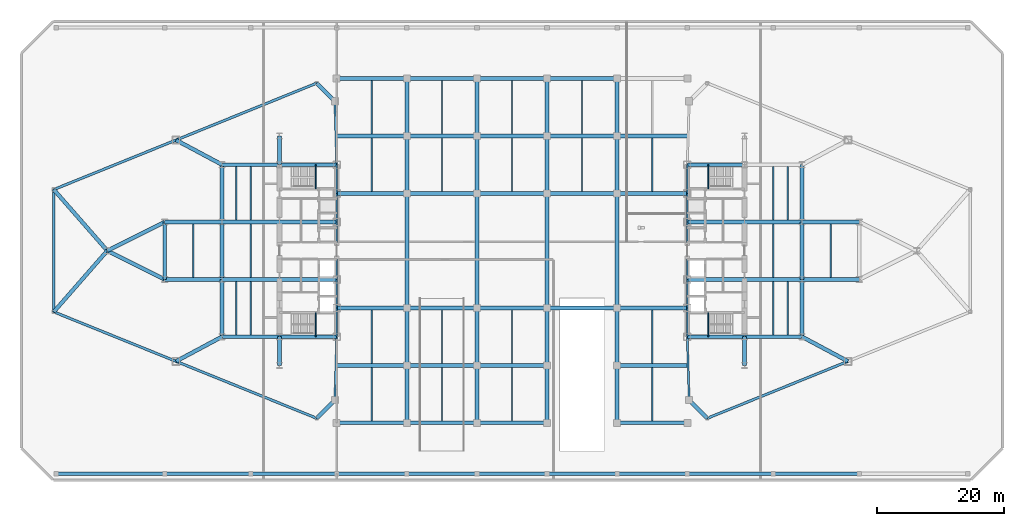
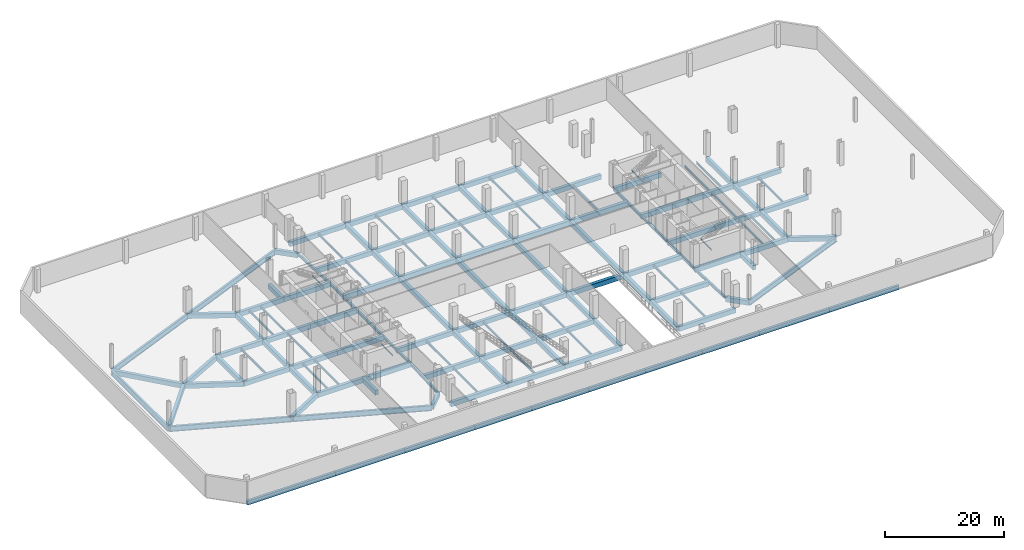
# One storey, part 7 of 18: 148 beams.
"""IFC4 building model written with IfcOpenShell, lengths in metres."""

from ifc_helpers import new_model, si_unit, direction, frame, origin, origin_2d, place, context, subcontext, project, spatial, rectangle, i_section, extrude, source, transform, mapped, material, material_profile, profile_set, type_object, type_shapes, element, save


model = new_model("IFC4")

# Units and contexts
model_context = context("Model", 3, precision=1e-05, world=origin(), true_north=direction((0.0, 1.0)))
body_context = subcontext(model_context, "Body", "Model", "MODEL_VIEW")
ifc_project = project(units=[si_unit("LENGTHUNIT", "METRE"), si_unit("AREAUNIT", "SQUARE_METRE"), si_unit("VOLUMEUNIT", "CUBIC_METRE"), si_unit("PLANEANGLEUNIT", "RADIAN"), si_unit("MASSUNIT", "GRAM", prefix="KILO")], contexts=[model_context])

# Site, building, storey
site_placement = place(None, origin())
site = spatial("IfcSite", under=ifc_project, at=site_placement, CompositionType="ELEMENT")
building_placement = place(site_placement, origin())
building = spatial("IfcBuilding", under=site, at=building_placement, Name="Seokmaru Belvedere", CompositionType="ELEMENT")
storey_placement = place(building_placement, frame((0.0, 0.0, -4.800048828125)))
storey = spatial("IfcBuildingStorey", under=building, at=storey_placement, Name="B1", CompositionType="ELEMENT", Elevation=-4.800048828125)

# Beams
ifc_material_1 = material(Name="Steel SM355 (355 MPa)", Category="steel")
ifc_material_profile_1 = material_profile(ifc_material_1, i_section(OverallWidth=0.300048828125, OverallDepth=0.587890625, WebThickness=0.011962890625, FlangeThickness=0.02001953125, at=origin_2d()), Name="H-588x300x12x20")
ifc_profile_set_1 = profile_set([ifc_material_profile_1], Name="Steel SM355 (355 MPa)")
beam_type_1 = type_object("IfcBeamType", Name="Podium Edge Spandrel Beam H-588", PredefinedType="SPANDREL", material=ifc_profile_set_1)
shared_shape_1 = source(origin(), body_context, "Body", "SweptSolid", [
    extrude(i_section(OverallWidth=0.300048828125, OverallDepth=0.587890625, WebThickness=0.011962890625, FlangeThickness=0.02001953125, at=origin_2d()), origin(), (0.0, 0.0, 1.0), 4.5),
])
for number, where, z_axis, x_axis, name in (
    (1, (-27.5, -13.5, -0.593994140625), (0.0, 1.0, 0.0), (-1.0, 0.0, 0.0), "B1 W Portal Spine Spandrel 1"),
    (2, (-27.5, -9.0, -0.593994140625), (0.0, 1.0, 0.0), (-1.0, 0.0, 0.0), "B1 W Portal Spine Spandrel 2"),
    (3, (-27.5, 4.5, -0.593994140625), (0.0, 1.0, 0.0), (-1.0, 0.0, 0.0), "B1 W Portal Spine Spandrel 4"),
    (4, (-27.5, 9.0, -0.593994140625), (0.0, 1.0, 0.0), (-1.0, 0.0, 0.0), "B1 W Portal Spine Spandrel 5"),
    (5, (27.5, -13.5, -0.593994140625), (0.0, 1.0, 0.0), (-1.0, 0.0, 0.0), "B1 E Portal Spine Spandrel 1"),
    (6, (27.5, -9.0, -0.593994140625), (0.0, 1.0, 0.0), (-1.0, 0.0, 0.0), "B1 E Portal Spine Spandrel 2"),
    (7, (27.5, 4.5, -0.593994140625), (0.0, 1.0, 0.0), (-1.0, 0.0, 0.0), "B1 E Portal Spine Spandrel 4"),
    (8, (27.5, 9.0, -0.593994140625), (0.0, 1.0, 0.0), (-1.0, 0.0, 0.0), "B1 E Portal Spine Spandrel 5"),
):
    element("IfcBeam", number, at=place(storey_placement, frame(where, z_axis=z_axis, x_axis=x_axis)), inside=storey, type_object=beam_type_1, Name=name, PredefinedType="SPANDREL", context=body_context, shape_type="MappedRepresentation", body=[
        mapped(shared_shape_1, transform((0.0, 0.0, 0.0), scale=1.0)),
    ])
shared_shape_2 = source(origin(), body_context, "Body", "SweptSolid", [
    extrude(i_section(OverallWidth=0.300048828125, OverallDepth=0.587890625, WebThickness=0.011962890625, FlangeThickness=0.02001953125, at=origin_2d()), origin(), (0.0, 0.0, 1.0), 9.0),
])
for number, where, z_axis, x_axis, name in (
    (9, (-27.5, -4.5, -0.593994140625), (0.0, 1.0, 0.0), (-1.0, 0.0, 0.0), "B1 W Portal Spine Spandrel 3"),
    (10, (27.5, -4.5, -0.593994140625), (0.0, 1.0, 0.0), (-1.0, 0.0, 0.0), "B1 E Portal Spine Spandrel 3"),
):
    element("IfcBeam", number, at=place(storey_placement, frame(where, z_axis=z_axis, x_axis=x_axis)), inside=storey, type_object=beam_type_1, Name=name, PredefinedType="SPANDREL", context=body_context, shape_type="MappedRepresentation", body=[
        mapped(shared_shape_2, transform((0.0, 0.0, 0.0), scale=1.0)),
    ])
ifc_material_2 = material(Name="Concrete C50 (50 MPa)", Category="concrete")
ifc_material_profile_2 = material_profile(ifc_material_2, rectangle(XDim=0.60009765625, YDim=0.949951171875, at=origin_2d()), Name="RC-600x950")
ifc_profile_set_2 = profile_set([ifc_material_profile_2], Name="Concrete C50 (50 MPa)")
beam_type_2 = type_object("IfcBeamType", Name="Basement Concrete Tie Girder RC-600x950", PredefinedType="BEAM", material=ifc_profile_set_2)
shared_shape_3 = source(origin(), body_context, "Body", "SweptSolid", [
    extrude(rectangle(XDim=0.60009765625, YDim=0.949951171875, at=origin_2d()), origin(), (0.0, 0.0, 1.0), 4.5),
])
for number, where, z_axis, x_axis, name in (
    (11, (-36.5, -18.0, -0.77490234375), (0.0, 1.0, 0.0), (-1.0, 0.0, 0.0), "B1 W Core Shoulder Girder S"),
    (12, (-36.5, 13.5, -0.77490234375), (0.0, 1.0, 0.0), (-1.0, 0.0, 0.0), "B1 W Core Shoulder Girder N"),
    (13, (36.5, -18.0, -0.77490234375), (0.0, 1.0, 0.0), (-1.0, 0.0, 0.0), "B1 E Core Shoulder Girder S"),
):
    element("IfcBeam", number, at=place(storey_placement, frame(where, z_axis=z_axis, x_axis=x_axis)), inside=storey, type_object=beam_type_2, Name=name, PredefinedType="BEAM", context=body_context, shape_type="MappedRepresentation", body=[
        mapped(shared_shape_3, transform((0.0, 0.0, 0.0), scale=1.0)),
    ])
shared_shape_4 = source(origin(), body_context, "Body", "SweptSolid", [
    extrude(rectangle(XDim=0.60009765625, YDim=0.949951171875, at=origin_2d()), origin(), (0.0, 0.0, 1.0), 9.0),
])
for number, where, z_axis, x_axis, name in (
    (14, (-45.5, -13.5, -0.77490234375), (0.0, 1.0, 0.0), (-1.0, 0.0, 0.0), "B1 W Interior Grid Girder 1"),
    (15, (-45.5, -4.5, -0.77490234375), (0.0, 1.0, 0.0), (-1.0, 0.0, 0.0), "B1 W Interior Grid Girder 2"),
    (16, (-45.5, 4.5, -0.77490234375), (0.0, 1.0, 0.0), (-1.0, 0.0, 0.0), "B1 W Interior Grid Girder 3"),
    (17, (-36.5, -13.5, -0.77490234375), (1.0, 0.0, 0.0), (0.0, 1.0, 0.0), "B1 W Core Tie Girder 1"),
    (18, (-45.5, -13.5, -0.77490234375), (1.0, 0.0, 0.0), (0.0, 1.0, 0.0), "B1 W Wing Primary Girder 1"),
    (19, (-36.5, -4.5, -0.77490234375), (1.0, 0.0, 0.0), (0.0, 1.0, 0.0), "B1 W Core Tie Girder 2"),
    (20, (-45.5, -4.5, -0.77490234375), (1.0, 0.0, 0.0), (0.0, 1.0, 0.0), "B1 W Wing Primary Girder 2"),
    (21, (-36.5, 4.5, -0.77490234375), (1.0, 0.0, 0.0), (0.0, 1.0, 0.0), "B1 W Core Tie Girder 3"),
    (22, (-45.5, 4.5, -0.77490234375), (1.0, 0.0, 0.0), (0.0, 1.0, 0.0), "B1 W Wing Primary Girder 3"),
    (23, (-36.5, 13.5, -0.77490234375), (1.0, 0.0, 0.0), (0.0, 1.0, 0.0), "B1 W Core Tie Girder 4"),
    (24, (-45.5, 13.5, -0.77490234375), (1.0, 0.0, 0.0), (0.0, 1.0, 0.0), "B1 W Wing Primary Girder 4"),
    (25, (-54.5, -4.5, -0.77490234375), (1.0, 0.0, 0.0), (0.0, 1.0, 0.0), "B1 W Outer Wing Girder 1"),
    (26, (-54.5, 4.5, -0.77490234375), (1.0, 0.0, 0.0), (0.0, 1.0, 0.0), "B1 W Outer Wing Girder 2"),
    (27, (-54.5, -4.5, -0.77490234375), (0.0, 1.0, 0.0), (-1.0, 0.0, 0.0), "B1 W Apex Frame Girder"),
    (28, (45.5, -13.5, -0.77490234375), (0.0, 1.0, 0.0), (-1.0, 0.0, 0.0), "B1 E Interior Grid Girder 1"),
    (29, (45.5, -4.5, -0.77490234375), (0.0, 1.0, 0.0), (-1.0, 0.0, 0.0), "B1 E Interior Grid Girder 2"),
    (30, (45.5, 4.5, -0.77490234375), (0.0, 1.0, 0.0), (-1.0, 0.0, 0.0), "B1 E Interior Grid Girder 3"),
    (31, (27.5, -13.5, -0.77490234375), (1.0, 0.0, 0.0), (0.0, 1.0, 0.0), "B1 E Core Tie Girder 1"),
    (32, (36.5, -13.5, -0.77490234375), (1.0, 0.0, 0.0), (0.0, 1.0, 0.0), "B1 E Wing Primary Girder 1"),
    (33, (27.5, -4.5, -0.77490234375), (1.0, 0.0, 0.0), (0.0, 1.0, 0.0), "B1 E Core Tie Girder 2"),
    (34, (36.5, -4.5, -0.77490234375), (1.0, 0.0, 0.0), (0.0, 1.0, 0.0), "B1 E Wing Primary Girder 2"),
    (35, (27.5, 4.5, -0.77490234375), (1.0, 0.0, 0.0), (0.0, 1.0, 0.0), "B1 E Core Tie Girder 3"),
    (36, (36.5, 4.5, -0.77490234375), (1.0, 0.0, 0.0), (0.0, 1.0, 0.0), "B1 E Wing Primary Girder 3"),
    (37, (27.5, 13.5, -0.77490234375), (1.0, 0.0, 0.0), (0.0, 1.0, 0.0), "B1 E Core Tie Girder 4"),
    (38, (45.5, -4.5, -0.77490234375), (1.0, 0.0, 0.0), (0.0, 1.0, 0.0), "B1 E Outer Wing Girder 1"),
    (39, (45.5, 4.5, -0.77490234375), (1.0, 0.0, 0.0), (0.0, 1.0, 0.0), "B1 E Outer Wing Girder 2"),
    (40, (-16.5, -27.0, -0.77490234375), (0.0, 1.0, 0.0), (-1.0, 0.0, 0.0), "B1 Central Podium Transverse Girder 1-1"),
    (41, (-16.5, -18.0, -0.77490234375), (0.0, 1.0, 0.0), (-1.0, 0.0, 0.0), "B1 Central Podium Transverse Girder 1-2"),
    (42, (-16.5, 9.0, -0.77490234375), (0.0, 1.0, 0.0), (-1.0, 0.0, 0.0), "B1 Central Podium Transverse Girder 1-4"),
    (43, (-16.5, 18.0, -0.77490234375), (0.0, 1.0, 0.0), (-1.0, 0.0, 0.0), "B1 Central Podium Transverse Girder 1-5"),
    (44, (-5.5, -27.0, -0.77490234375), (0.0, 1.0, 0.0), (-1.0, 0.0, 0.0), "B1 Central Podium Transverse Girder 2-1"),
    (45, (-5.5, -18.0, -0.77490234375), (0.0, 1.0, 0.0), (-1.0, 0.0, 0.0), "B1 Central Podium Transverse Girder 2-2"),
    (46, (-5.5, 9.0, -0.77490234375), (0.0, 1.0, 0.0), (-1.0, 0.0, 0.0), "B1 Central Podium Transverse Girder 2-4"),
    (47, (-5.5, 18.0, -0.77490234375), (0.0, 1.0, 0.0), (-1.0, 0.0, 0.0), "B1 Central Podium Transverse Girder 2-5"),
    (48, (5.5, -27.0, -0.77490234375), (0.0, 1.0, 0.0), (-1.0, 0.0, 0.0), "B1 Central Podium Transverse Girder 3-1"),
    (49, (5.5, -18.0, -0.77490234375), (0.0, 1.0, 0.0), (-1.0, 0.0, 0.0), "B1 Central Podium Transverse Girder 3-2"),
    (50, (5.5, 9.0, -0.77490234375), (0.0, 1.0, 0.0), (-1.0, 0.0, 0.0), "B1 Central Podium Transverse Girder 3-4"),
    (51, (5.5, 18.0, -0.77490234375), (0.0, 1.0, 0.0), (-1.0, 0.0, 0.0), "B1 Central Podium Transverse Girder 3-5"),
    (52, (16.5, -27.0, -0.77490234375), (0.0, 1.0, 0.0), (-1.0, 0.0, 0.0), "B1 Central Podium Transverse Girder 4-1"),
    (53, (16.5, -18.0, -0.77490234375), (0.0, 1.0, 0.0), (-1.0, 0.0, 0.0), "B1 Central Podium Transverse Girder 4-2"),
    (54, (16.5, 9.0, -0.77490234375), (0.0, 1.0, 0.0), (-1.0, 0.0, 0.0), "B1 Central Podium Transverse Girder 4-4"),
    (55, (16.5, 18.0, -0.77490234375), (0.0, 1.0, 0.0), (-1.0, 0.0, 0.0), "B1 Central Podium Transverse Girder 4-5"),
):
    element("IfcBeam", number, at=place(storey_placement, frame(where, z_axis=z_axis, x_axis=x_axis)), inside=storey, type_object=beam_type_2, Name=name, PredefinedType="BEAM", context=body_context, shape_type="MappedRepresentation", body=[
        mapped(shared_shape_4, transform((0.0, 0.0, 0.0), scale=1.0)),
    ])
shared_shape_5 = source(origin(), body_context, "Body", "SweptSolid", [
    extrude(rectangle(XDim=0.60009765625, YDim=0.949951171875, at=origin_2d()), origin(), (0.0, 0.0, 1.0), 10.062255859375),
])
for number, where, z_axis, x_axis, name in (
    (56, (-54.5, -4.5, -0.77490234375), (-0.894427191, 0.4472135955, 0.0), (-0.4472135955, -0.894427191, 0.0), "B1 W Apex Converging Girder 1"),
    (57, (-54.5, 4.5, -0.77490234375), (-0.894427191, -0.4472135955, 0.0), (0.4472135955, -0.894427191, 0.0), "B1 W Apex Converging Girder 2"),
):
    element("IfcBeam", number, at=place(storey_placement, frame(where, z_axis=z_axis, x_axis=x_axis)), inside=storey, type_object=beam_type_2, Name=name, PredefinedType="BEAM", context=body_context, shape_type="MappedRepresentation", body=[
        mapped(shared_shape_5, transform((0.0, 0.0, 0.0), scale=1.0)),
    ])
ifc_material_profile_3 = material_profile(ifc_material_1, i_section(OverallWidth=0.199951171875, OverallDepth=0.449951171875, WebThickness=0.009033203125, FlangeThickness=0.013916015625, at=origin_2d()), Name="H-450x200x9x14")
ifc_profile_set_3 = profile_set([ifc_material_profile_3], Name="Steel SM355 (355 MPa)")
beam_type_3 = type_object("IfcBeamType", Name="Podium Secondary Joist H-450", PredefinedType="JOIST", material=ifc_profile_set_3)
shared_shape_6 = source(origin(), body_context, "Body", "SweptSolid", [
    extrude(i_section(OverallWidth=0.199951171875, OverallDepth=0.449951171875, WebThickness=0.009033203125, FlangeThickness=0.013916015625, at=origin_2d()), origin(), (0.0, 0.0, 1.0), 8.39013671875),
])
type_shapes(beam_type_3, [shared_shape_6])
for number, where, z_axis, x_axis, name in (
    (58, (-43.25, -13.195068359375, -0.52490234375), (0.0, 1.0, 0.0), (-1.0, 0.0, 0.0), "B1 W Wing Inner Secondary Joist 1"),
    (59, (-43.25, 4.804931640625, -0.52490234375), (0.0, 1.0, 0.0), (-1.0, 0.0, 0.0), "B1 W Wing Inner Secondary Joist 2"),
    (60, (-41.0, -13.195068359375, -0.52490234375), (0.0, 1.0, 0.0), (-1.0, 0.0, 0.0), "B1 W Secondary Floor Joist 1"),
    (61, (-41.0, -4.195068359375, -0.52490234375), (0.0, 1.0, 0.0), (-1.0, 0.0, 0.0), "B1 W Secondary Floor Joist 2"),
    (62, (-41.0, 4.804931640625, -0.52490234375), (0.0, 1.0, 0.0), (-1.0, 0.0, 0.0), "B1 W Secondary Floor Joist 3"),
    (63, (-50.0, -4.195068359375, -0.52490234375), (0.0, 1.0, 0.0), (-1.0, 0.0, 0.0), "B1 W Outer Bay Secondary Joist"),
    (64, (43.25, -13.195068359375, -0.52490234375), (0.0, 1.0, 0.0), (-1.0, 0.0, 0.0), "B1 E Wing Inner Secondary Joist 1"),
    (65, (43.25, 4.804931640625, -0.52490234375), (0.0, 1.0, 0.0), (-1.0, 0.0, 0.0), "B1 E Wing Inner Secondary Joist 2"),
    (66, (41.0, -13.195068359375, -0.52490234375), (0.0, 1.0, 0.0), (-1.0, 0.0, 0.0), "B1 E Secondary Floor Joist 1"),
    (67, (41.0, -4.195068359375, -0.52490234375), (0.0, 1.0, 0.0), (-1.0, 0.0, 0.0), "B1 E Secondary Floor Joist 2"),
    (68, (41.0, 4.804931640625, -0.52490234375), (0.0, 1.0, 0.0), (-1.0, 0.0, 0.0), "B1 E Secondary Floor Joist 3"),
    (69, (50.0, -4.195068359375, -0.52490234375), (0.0, 1.0, 0.0), (-1.0, 0.0, 0.0), "B1 E Outer Bay Secondary Joist"),
    (70, (-22.0, -26.695068359375, -0.52490234375), (0.0, 1.0, 0.0), (-1.0, 0.0, 0.0), "B1 Central Podium Secondary Joist 1-1"),
    (71, (-22.0, -17.695068359375, -0.52490234375), (0.0, 1.0, 0.0), (-1.0, 0.0, 0.0), "B1 Central Podium Secondary Joist 1-2"),
    (72, (-22.0, 9.304931640625, -0.52490234375), (0.0, 1.0, 0.0), (-1.0, 0.0, 0.0), "B1 Central Podium Secondary Joist 1-3"),
    (73, (-22.0, 18.304931640625, -0.52490234375), (0.0, 1.0, 0.0), (-1.0, 0.0, 0.0), "B1 Central Podium Secondary Joist 1-4"),
    (74, (-11.0, -26.695068359375, -0.52490234375), (0.0, 1.0, 0.0), (-1.0, 0.0, 0.0), "B1 Central Podium Secondary Joist 2-1"),
    (75, (-11.0, -17.695068359375, -0.52490234375), (0.0, 1.0, 0.0), (-1.0, 0.0, 0.0), "B1 Central Podium Secondary Joist 2-2"),
    (76, (-11.0, 9.304931640625, -0.52490234375), (0.0, 1.0, 0.0), (-1.0, 0.0, 0.0), "B1 Central Podium Secondary Joist 2-3"),
    (77, (-11.0, 18.304931640625, -0.52490234375), (0.0, 1.0, 0.0), (-1.0, 0.0, 0.0), "B1 Central Podium Secondary Joist 2-4"),
    (78, (0.0, -26.695068359375, -0.52490234375), (0.0, 1.0, 0.0), (-1.0, 0.0, 0.0), "B1 Central Podium Secondary Joist 3-1"),
    (79, (0.0, -17.695068359375, -0.52490234375), (0.0, 1.0, 0.0), (-1.0, 0.0, 0.0), "B1 Central Podium Secondary Joist 3-2"),
    (80, (0.0, 9.304931640625, -0.52490234375), (0.0, 1.0, 0.0), (-1.0, 0.0, 0.0), "B1 Central Podium Secondary Joist 3-3"),
    (81, (0.0, 18.304931640625, -0.52490234375), (0.0, 1.0, 0.0), (-1.0, 0.0, 0.0), "B1 Central Podium Secondary Joist 3-4"),
    (82, (11.0, 9.304931640625, -0.52490234375), (0.0, 1.0, 0.0), (-1.0, 0.0, 0.0), "B1 Central Podium Secondary Joist 4-3"),
    (83, (11.0, 18.304931640625, -0.52490234375), (0.0, 1.0, 0.0), (-1.0, 0.0, 0.0), "B1 Central Podium Secondary Joist 4-4"),
    (84, (22.0, -26.695068359375, -0.52490234375), (0.0, 1.0, 0.0), (-1.0, 0.0, 0.0), "B1 Central Podium Secondary Joist 5-1"),
    (85, (22.0, -17.695068359375, -0.52490234375), (0.0, 1.0, 0.0), (-1.0, 0.0, 0.0), "B1 Central Podium Secondary Joist 5-2"),
    (86, (22.0, 9.304931640625, -0.52490234375), (0.0, 1.0, 0.0), (-1.0, 0.0, 0.0), "B1 Central Podium Secondary Joist 5-3"),
):
    element("IfcBeam", number, at=place(storey_placement, frame(where, z_axis=z_axis, x_axis=x_axis)), inside=storey, type_object=beam_type_3, Name=name, PredefinedType="JOIST", context=body_context, shape_type="MappedRepresentation", body=[
        mapped(shared_shape_6, transform((0.0, 0.0, 0.0), scale=1.0)),
    ])
ifc_material_profile_4 = material_profile(ifc_material_1, i_section(OverallWidth=0.39990234375, OverallDepth=1.10009765625, WebThickness=0.02001953125, FlangeThickness=0.033935546875, at=origin_2d()), Name="BH-1100x400x20x34")
ifc_profile_set_4 = profile_set([ifc_material_profile_4], Name="Steel SM355 (355 MPa)")
beam_type_4 = type_object("IfcBeamType", Name="Sky-Gate Transverse Girder BH-1100", PredefinedType="BEAM", material=ifc_profile_set_4)
shared_shape_7 = source(origin(), body_context, "Body", "SweptSolid", [
    extrude(i_section(OverallWidth=0.39990234375, OverallDepth=1.10009765625, WebThickness=0.02001953125, FlangeThickness=0.033935546875, at=origin_2d()), origin(), (0.0, 0.0, 1.0), 23.811767578125),
])
for number, where, z_axis, x_axis, name in (
    (87, (-30.643310546875, -26.294677734375, -0.849853515625), (-0.92694579442, 0.375195274766, 0.0), (-0.375195274766, -0.92694579442, 0.0), "B1 W Podium Long-Span Flank Girder S-1"),
    (88, (-30.643310546875, 26.294677734375, -0.849853515625), (-0.92694579442, -0.375195274766, 0.0), (0.375195274766, -0.92694579442, 0.0), "B1 W Podium Long-Span Flank Girder N-1"),
    (89, (30.643310546875, -26.294677734375, -0.849853515625), (0.92694579442, 0.375195274766, 0.0), (-0.375195274766, 0.92694579442, 0.0), "B1 E Podium Long-Span Flank Girder S-1"),
):
    element("IfcBeam", number, at=place(storey_placement, frame(where, z_axis=z_axis, x_axis=x_axis)), inside=storey, type_object=beam_type_4, Name=name, PredefinedType="BEAM", context=body_context, shape_type="MappedRepresentation", body=[
        mapped(shared_shape_7, transform((0.0, 0.0, 0.0), scale=1.0)),
    ])
shared_shape_8 = source(origin(), body_context, "Body", "SweptSolid", [
    extrude(i_section(OverallWidth=0.39990234375, OverallDepth=1.10009765625, WebThickness=0.02001953125, FlangeThickness=0.033935546875, at=origin_2d()), origin(), (0.0, 0.0, 1.0), 20.6962890625),
])
for number, where, z_axis, x_axis, name in (
    (90, (-52.715576171875, -17.360595703125, -0.849853515625), (-0.92695003666, 0.37518479385, 0.0), (-0.37518479385, -0.92695003666, 0.0), "B1 W Podium Long-Span Flank Girder S-2"),
    (91, (-52.715576171875, 17.360595703125, -0.849853515625), (-0.92695003666, -0.37518479385, 0.0), (0.37518479385, -0.92695003666, 0.0), "B1 W Podium Long-Span Flank Girder N-2"),
):
    element("IfcBeam", number, at=place(storey_placement, frame(where, z_axis=z_axis, x_axis=x_axis)), inside=storey, type_object=beam_type_4, Name=name, PredefinedType="BEAM", context=body_context, shape_type="MappedRepresentation", body=[
        mapped(shared_shape_8, transform((0.0, 0.0, 0.0), scale=1.0)),
    ])
shared_shape_9 = source(origin(), body_context, "Body", "SweptSolid", [
    extrude(i_section(OverallWidth=0.39990234375, OverallDepth=1.10009765625, WebThickness=0.02001953125, FlangeThickness=0.033935546875, at=origin_2d()), origin(), (0.0, 0.0, 1.0), 19.19140625),
])
type_shapes(beam_type_4, [shared_shape_7, shared_shape_8, shared_shape_9])
beam_1_placement = place(storey_placement, frame((-71.89990234375, -9.595703125, -0.849853515625), z_axis=(0.0, 1.0, 0.0), x_axis=(-1.0, 0.0, 0.0)))
element("IfcBeam", 92, at=beam_1_placement, inside=storey, type_object=beam_type_4, Name="B1 W Podium Long-Span Apex Girder", PredefinedType="BEAM", context=body_context, shape_type="MappedRepresentation", body=[
    mapped(shared_shape_9, transform((0.0, 0.0, 0.0), scale=1.0)),
])
shared_shape_10 = source(origin(), body_context, "Body", "SweptSolid", [
    extrude(rectangle(XDim=0.60009765625, YDim=0.949951171875, at=origin_2d()), origin(), (0.0, 0.0, 1.0), 4.02099609375),
])
for number, where, z_axis, x_axis, name in (
    (93, (-30.643310546875, -26.294677734375, -0.77490234375), (0.707106781187, 0.707106781187, 0.0), (-0.707106781187, 0.707106781187, 0.0), "B1 W Podium South Shoulder Girder"),
    (94, (-30.643310546875, 26.294677734375, -0.77490234375), (0.707106781187, -0.707106781187, 0.0), (0.707106781187, 0.707106781187, 0.0), "B1 W Podium North Shoulder Girder"),
    (95, (30.643310546875, -26.294677734375, -0.77490234375), (-0.707106781187, 0.707106781187, 0.0), (-0.707106781187, -0.707106781187, 0.0), "B1 E Podium South Shoulder Girder"),
):
    element("IfcBeam", number, at=place(storey_placement, frame(where, z_axis=z_axis, x_axis=x_axis)), inside=storey, type_object=beam_type_2, Name=name, PredefinedType="BEAM", context=body_context, shape_type="MappedRepresentation", body=[
        mapped(shared_shape_10, transform((0.0, 0.0, 0.0), scale=1.0)),
    ])
shared_shape_11 = source(origin(), body_context, "Body", "SweptSolid", [
    extrude(i_section(OverallWidth=0.300048828125, OverallDepth=0.587890625, WebThickness=0.011962890625, FlangeThickness=0.02001953125, at=origin_2d()), origin(), (0.0, 0.0, 1.0), 9.9560546875),
])
type_shapes(beam_type_1, [shared_shape_1, shared_shape_2, shared_shape_11])
for number, where, z_axis, x_axis, name in (
    (96, (-27.800048828125, -23.451416015625, -0.593994140625), (0.030137674137, 0.999545757131, 0.0), (-0.999545757131, 0.030137674137, 0.0), "B1 W Podium Spine Shoulder Tie S"),
    (97, (-27.800048828125, 23.451416015625, -0.593994140625), (0.030137674137, -0.999545757131, 0.0), (0.999545757131, 0.030137674137, 0.0), "B1 W Podium Spine Shoulder Tie N"),
    (98, (27.800048828125, -23.451416015625, -0.593994140625), (-0.030137674137, 0.999545757131, 0.0), (-0.999545757131, -0.030137674137, 0.0), "B1 E Podium Spine Shoulder Tie S"),
):
    element("IfcBeam", number, at=place(storey_placement, frame(where, z_axis=z_axis, x_axis=x_axis)), inside=storey, type_object=beam_type_1, Name=name, PredefinedType="SPANDREL", context=body_context, shape_type="MappedRepresentation", body=[
        mapped(shared_shape_11, transform((0.0, 0.0, 0.0), scale=1.0)),
    ])
shared_shape_12 = source(origin(), body_context, "Body", "SweptSolid", [
    extrude(rectangle(XDim=0.60009765625, YDim=0.949951171875, at=origin_2d()), origin(), (0.0, 0.0, 1.0), 8.183349609375),
])
for number, where, z_axis, x_axis, name in (
    (99, (-52.715576171875, -17.360595703125, -0.77490234375), (0.881728657166, 0.47175690258, 0.0), (-0.47175690258, 0.881728657166, 0.0), "B1 W Flank Radial Floor Girder S-2"),
    (100, (-52.715576171875, 17.360595703125, -0.77490234375), (0.881728657166, -0.47175690258, 0.0), (0.47175690258, 0.881728657166, 0.0), "B1 W Flank Radial Floor Girder N-2"),
    (101, (52.715576171875, -17.360595703125, -0.77490234375), (-0.881728657166, 0.47175690258, 0.0), (-0.47175690258, -0.881728657166, 0.0), "B1 E Flank Radial Floor Girder S-2"),
):
    element("IfcBeam", number, at=place(storey_placement, frame(where, z_axis=z_axis, x_axis=x_axis)), inside=storey, type_object=beam_type_2, Name=name, PredefinedType="BEAM", context=body_context, shape_type="MappedRepresentation", body=[
        mapped(shared_shape_12, transform((0.0, 0.0, 0.0), scale=1.0)),
    ])
shared_shape_13 = source(origin(), body_context, "Body", "SweptSolid", [
    extrude(rectangle(XDim=0.60009765625, YDim=0.949951171875, at=origin_2d()), origin(), (0.0, 0.0, 1.0), 12.7529296875),
])
for number, where, z_axis, x_axis, name in (
    (102, (-71.89990234375, -9.595703125, -0.77490234375), (0.658667231479, 0.752434368019, 0.0), (-0.752434368019, 0.658667231479, 0.0), "B1 W Apex Radial Floor Girder 1"),
    (103, (-71.89990234375, 9.595703125, -0.77490234375), (0.658667231479, -0.752434368019, 0.0), (0.752434368019, 0.658667231479, 0.0), "B1 W Apex Radial Floor Girder 2"),
):
    element("IfcBeam", number, at=place(storey_placement, frame(where, z_axis=z_axis, x_axis=x_axis)), inside=storey, type_object=beam_type_2, Name=name, PredefinedType="BEAM", context=body_context, shape_type="MappedRepresentation", body=[
        mapped(shared_shape_13, transform((0.0, 0.0, 0.0), scale=1.0)),
    ])
shared_shape_14 = source(origin(), body_context, "Body", "SweptSolid", [
    extrude(rectangle(XDim=0.60009765625, YDim=0.949951171875, at=origin_2d()), origin(), (0.0, 0.0, 1.0), 11.0),
])
for number, where, z_axis, x_axis, name in (
    (104, (-27.5, -27.0, -0.77490234375), (1.0, 0.0, 0.0), (0.0, 1.0, 0.0), "B1 Central Podium Girder 1-1"),
    (105, (-16.5, -27.0, -0.77490234375), (1.0, 0.0, 0.0), (0.0, 1.0, 0.0), "B1 Central Podium Girder 1-2"),
    (106, (-5.5, -27.0, -0.77490234375), (1.0, 0.0, 0.0), (0.0, 1.0, 0.0), "B1 Central Podium Girder 1-3"),
    (107, (16.5, -27.0, -0.77490234375), (1.0, 0.0, 0.0), (0.0, 1.0, 0.0), "B1 Central Podium Girder 1-5"),
    (108, (-27.5, -18.0, -0.77490234375), (1.0, 0.0, 0.0), (0.0, 1.0, 0.0), "B1 Central Podium Girder 2-1"),
    (109, (-16.5, -18.0, -0.77490234375), (1.0, 0.0, 0.0), (0.0, 1.0, 0.0), "B1 Central Podium Girder 2-2"),
    (110, (-5.5, -18.0, -0.77490234375), (1.0, 0.0, 0.0), (0.0, 1.0, 0.0), "B1 Central Podium Girder 2-3"),
    (111, (16.5, -18.0, -0.77490234375), (1.0, 0.0, 0.0), (0.0, 1.0, 0.0), "B1 Central Podium Girder 2-5"),
    (112, (-27.5, -9.0, -0.77490234375), (1.0, 0.0, 0.0), (0.0, 1.0, 0.0), "B1 Central Podium Girder 3-1"),
    (113, (-16.5, -9.0, -0.77490234375), (1.0, 0.0, 0.0), (0.0, 1.0, 0.0), "B1 Central Podium Girder 3-2"),
    (114, (-5.5, -9.0, -0.77490234375), (1.0, 0.0, 0.0), (0.0, 1.0, 0.0), "B1 Central Podium Girder 3-3"),
    (115, (5.5, -9.0, -0.77490234375), (1.0, 0.0, 0.0), (0.0, 1.0, 0.0), "B1 Central Podium Girder 3-4"),
    (116, (16.5, -9.0, -0.77490234375), (1.0, 0.0, 0.0), (0.0, 1.0, 0.0), "B1 Central Podium Girder 3-5"),
    (117, (-27.5, 9.0, -0.77490234375), (1.0, 0.0, 0.0), (0.0, 1.0, 0.0), "B1 Central Podium Girder 4-1"),
    (118, (-16.5, 9.0, -0.77490234375), (1.0, 0.0, 0.0), (0.0, 1.0, 0.0), "B1 Central Podium Girder 4-2"),
    (119, (-5.5, 9.0, -0.77490234375), (1.0, 0.0, 0.0), (0.0, 1.0, 0.0), "B1 Central Podium Girder 4-3"),
    (120, (5.5, 9.0, -0.77490234375), (1.0, 0.0, 0.0), (0.0, 1.0, 0.0), "B1 Central Podium Girder 4-4"),
    (121, (16.5, 9.0, -0.77490234375), (1.0, 0.0, 0.0), (0.0, 1.0, 0.0), "B1 Central Podium Girder 4-5"),
    (122, (-27.5, 18.0, -0.77490234375), (1.0, 0.0, 0.0), (0.0, 1.0, 0.0), "B1 Central Podium Girder 5-1"),
    (123, (-16.5, 18.0, -0.77490234375), (1.0, 0.0, 0.0), (0.0, 1.0, 0.0), "B1 Central Podium Girder 5-2"),
    (124, (-5.5, 18.0, -0.77490234375), (1.0, 0.0, 0.0), (0.0, 1.0, 0.0), "B1 Central Podium Girder 5-3"),
    (125, (5.5, 18.0, -0.77490234375), (1.0, 0.0, 0.0), (0.0, 1.0, 0.0), "B1 Central Podium Girder 5-4"),
    (126, (16.5, 18.0, -0.77490234375), (1.0, 0.0, 0.0), (0.0, 1.0, 0.0), "B1 Central Podium Girder 5-5"),
    (127, (-27.5, 27.0, -0.77490234375), (1.0, 0.0, 0.0), (0.0, 1.0, 0.0), "B1 Central Podium Girder 6-1"),
    (128, (-16.5, 27.0, -0.77490234375), (1.0, 0.0, 0.0), (0.0, 1.0, 0.0), "B1 Central Podium Girder 6-2"),
    (129, (-5.5, 27.0, -0.77490234375), (1.0, 0.0, 0.0), (0.0, 1.0, 0.0), "B1 Central Podium Girder 6-3"),
    (130, (5.5, 27.0, -0.77490234375), (1.0, 0.0, 0.0), (0.0, 1.0, 0.0), "B1 Central Podium Girder 6-4"),
):
    element("IfcBeam", number, at=place(storey_placement, frame(where, z_axis=z_axis, x_axis=x_axis)), inside=storey, type_object=beam_type_2, Name=name, PredefinedType="BEAM", context=body_context, shape_type="MappedRepresentation", body=[
        mapped(shared_shape_14, transform((0.0, 0.0, 0.0), scale=1.0)),
    ])
shared_shape_15 = source(origin(), body_context, "Body", "SweptSolid", [
    extrude(rectangle(XDim=0.60009765625, YDim=0.949951171875, at=origin_2d()), origin(), (0.0, 0.0, 1.0), 18.0),
])
type_shapes(beam_type_2, [shared_shape_3, shared_shape_4, shared_shape_5, shared_shape_10, shared_shape_12, shared_shape_13, shared_shape_14, shared_shape_15])
for number, where, z_axis, x_axis, name in (
    (131, (-16.5, -9.0, -0.77490234375), (0.0, 1.0, 0.0), (-1.0, 0.0, 0.0), "B1 Central Podium Transverse Girder 1-3"),
    (132, (-5.5, -9.0, -0.77490234375), (0.0, 1.0, 0.0), (-1.0, 0.0, 0.0), "B1 Central Podium Transverse Girder 2-3"),
    (133, (5.5, -9.0, -0.77490234375), (0.0, 1.0, 0.0), (-1.0, 0.0, 0.0), "B1 Central Podium Transverse Girder 3-3"),
    (134, (16.5, -9.0, -0.77490234375), (0.0, 1.0, 0.0), (-1.0, 0.0, 0.0), "B1 Central Podium Transverse Girder 4-3"),
):
    element("IfcBeam", number, at=place(storey_placement, frame(where, z_axis=z_axis, x_axis=x_axis)), inside=storey, type_object=beam_type_2, Name=name, PredefinedType="BEAM", context=body_context, shape_type="MappedRepresentation", body=[
        mapped(shared_shape_15, transform((0.0, 0.0, 0.0), scale=1.0)),
    ])
ifc_material_profile_5 = material_profile(ifc_material_2, rectangle(XDim=0.5, YDim=0.800048828125, at=origin_2d()), Name="RC-500x800")
ifc_profile_set_5 = profile_set([ifc_material_profile_5], Name="Concrete C50 (50 MPa)")
beam_type_5 = type_object("IfcBeamType", Name="Plaza Perimeter Concrete Edge Beam RC-500x800", PredefinedType="BEAM", material=ifc_profile_set_5)
shared_shape_16 = source(origin(), body_context, "Body", "SweptSolid", [
    extrude(rectangle(XDim=0.5, YDim=0.800048828125, at=origin_2d()), origin(), (0.0, 0.0, 1.0), 17.0),
])
beam_2_placement = place(storey_placement, frame((-71.5, -35.0, -0.699951171875), z_axis=(1.0, 0.0, 0.0), x_axis=(0.0, 1.0, 0.0)))
element("IfcBeam", 135, at=beam_2_placement, inside=storey, type_object=beam_type_5, Name="B1 Plaza Substructure Edge Beam S-1", PredefinedType="BEAM", context=body_context, shape_type="MappedRepresentation", body=[
    mapped(shared_shape_16, transform((0.0, 0.0, 0.0), scale=1.0)),
])
shared_shape_17 = source(origin(), body_context, "Body", "SweptSolid", [
    extrude(rectangle(XDim=0.5, YDim=0.800048828125, at=origin_2d()), origin(), (0.0, 0.0, 1.0), 13.5),
])
for number, where, z_axis, x_axis, name in (
    (136, (-54.5, -35.0, -0.699951171875), (1.0, 0.0, 0.0), (0.0, 1.0, 0.0), "B1 Plaza Substructure Edge Beam S-2"),
    (137, (-41.0, -35.0, -0.699951171875), (1.0, 0.0, 0.0), (0.0, 1.0, 0.0), "B1 Plaza Substructure Edge Beam S-3"),
    (138, (27.5, -35.0, -0.699951171875), (1.0, 0.0, 0.0), (0.0, 1.0, 0.0), "B1 Plaza Substructure Edge Beam S-9"),
    (139, (41.0, -35.0, -0.699951171875), (1.0, 0.0, 0.0), (0.0, 1.0, 0.0), "B1 Plaza Substructure Edge Beam S-10"),
):
    element("IfcBeam", number, at=place(storey_placement, frame(where, z_axis=z_axis, x_axis=x_axis)), inside=storey, type_object=beam_type_5, Name=name, PredefinedType="BEAM", context=body_context, shape_type="MappedRepresentation", body=[
        mapped(shared_shape_17, transform((0.0, 0.0, 0.0), scale=1.0)),
    ])
shared_shape_18 = source(origin(), body_context, "Body", "SweptSolid", [
    extrude(rectangle(XDim=0.5, YDim=0.800048828125, at=origin_2d()), origin(), (0.0, 0.0, 1.0), 11.0),
])
type_shapes(beam_type_5, [shared_shape_16, shared_shape_17, shared_shape_18])
for number, where, z_axis, x_axis, name in (
    (140, (-27.5, -35.0, -0.699951171875), (1.0, 0.0, 0.0), (0.0, 1.0, 0.0), "B1 Plaza Substructure Edge Beam S-4"),
    (141, (-16.5, -35.0, -0.699951171875), (1.0, 0.0, 0.0), (0.0, 1.0, 0.0), "B1 Plaza Substructure Edge Beam S-5"),
    (142, (-5.5, -35.0, -0.699951171875), (1.0, 0.0, 0.0), (0.0, 1.0, 0.0), "B1 Plaza Substructure Edge Beam S-6"),
    (143, (5.5, -35.0, -0.699951171875), (1.0, 0.0, 0.0), (0.0, 1.0, 0.0), "B1 Plaza Substructure Edge Beam S-7"),
    (144, (16.5, -35.0, -0.699951171875), (1.0, 0.0, 0.0), (0.0, 1.0, 0.0), "B1 Plaza Substructure Edge Beam S-8"),
):
    element("IfcBeam", number, at=place(storey_placement, frame(where, z_axis=z_axis, x_axis=x_axis)), inside=storey, type_object=beam_type_5, Name=name, PredefinedType="BEAM", context=body_context, shape_type="MappedRepresentation", body=[
        mapped(shared_shape_18, transform((0.0, 0.0, 0.0), scale=1.0)),
    ])
ifc_material_profile_6 = material_profile(ifc_material_1, i_section(OverallWidth=0.125, OverallDepth=0.25, WebThickness=0.006103515625, FlangeThickness=0.009033203125, at=origin_2d()), Name="H-250x125x6x9")
ifc_profile_set_6 = profile_set([ifc_material_profile_6], Name="Steel SM355 (355 MPa)")
beam_type_6 = type_object("IfcBeamType", Name="Stair Mid-Landing Support Beam H-250", PredefinedType="JOIST", material=ifc_profile_set_6)
shared_shape_19 = source(origin(), body_context, "Body", "SweptSolid", [
    extrude(i_section(OverallWidth=0.125, OverallDepth=0.25, WebThickness=0.006103515625, FlangeThickness=0.009033203125, at=origin_2d()), origin(), (0.0, 0.0, 1.0), 3.800048828125),
])
type_shapes(beam_type_6, [shared_shape_19])
for number, where, z_axis, x_axis, name in (
    (145, (-30.81005859375, -13.5, 2.074951171875), (0.0, 1.0, 0.0), (-1.0, 0.0, 0.0), "B1 Stair ST-W1 Mid-Landing Support Beam 1"),
    (146, (-30.81005859375, 9.699951171875, 2.074951171875), (0.0, 1.0, 0.0), (-1.0, 0.0, 0.0), "B1 Stair ST-W2 Mid-Landing Support Beam 1"),
    (147, (30.81005859375, -13.5, 2.074951171875), (0.0, 1.0, 0.0), (-1.0, 0.0, 0.0), "B1 Stair ST-E1 Mid-Landing Support Beam 1"),
    (148, (30.81005859375, 9.699951171875, 2.074951171875), (0.0, 1.0, 0.0), (-1.0, 0.0, 0.0), "B1 Stair ST-E2 Mid-Landing Support Beam 1"),
):
    element("IfcBeam", number, at=place(storey_placement, frame(where, z_axis=z_axis, x_axis=x_axis)), inside=storey, type_object=beam_type_6, Name=name, PredefinedType="JOIST", context=body_context, shape_type="MappedRepresentation", body=[
        mapped(shared_shape_19, transform((0.0, 0.0, 0.0), scale=1.0)),
    ])

save(model, "model.ifc")
